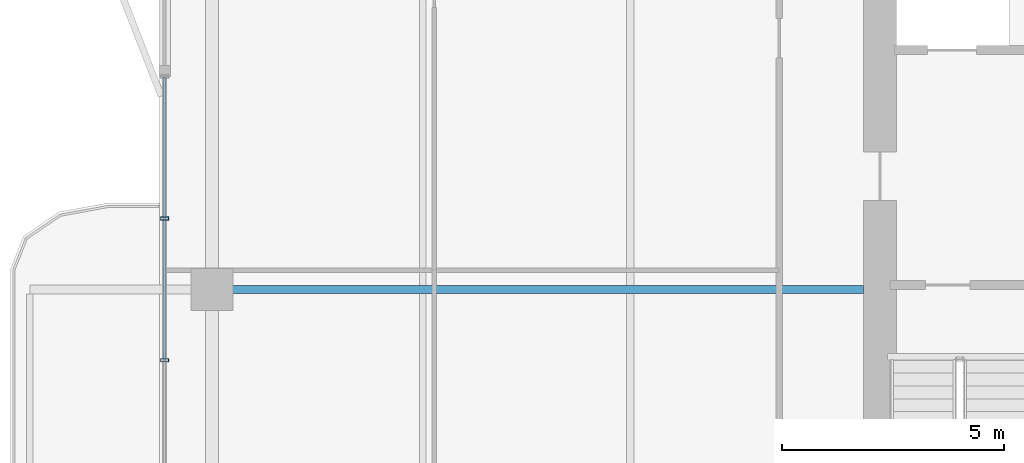
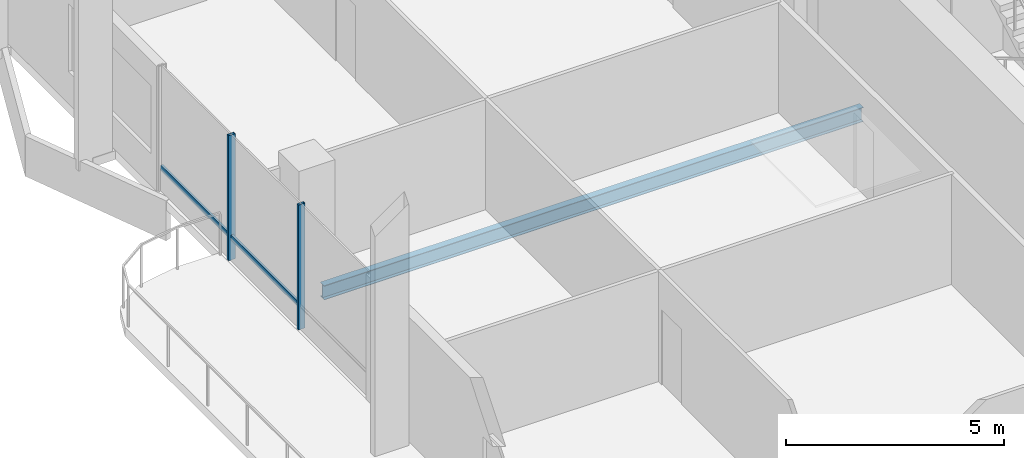
# One storey, part 6 of 25: 4 members, 1 beam, 1 element without a shape of its own.
"""IFC4 building model written with IfcOpenShell, lengths in metres."""

from ifc_helpers import new_model, si_unit, direction, frame, origin, origin_2d, place, context, subcontext, project, spatial, hollow_rectangle, i_section, extrude, material, layer, layer_set, material_profile, profile_set, type_object, element, aggregate, save


model = new_model("IFC4")

# Units and contexts
model_context = context("Model", 3, precision=1e-05, world=origin(), true_north=direction((0.0, 1.0)))
body_context = subcontext(model_context, "Body", "Model", "MODEL_VIEW")
ifc_project = project(units=[si_unit("LENGTHUNIT", "METRE"), si_unit("AREAUNIT", "SQUARE_METRE"), si_unit("VOLUMEUNIT", "CUBIC_METRE"), si_unit("PLANEANGLEUNIT", "RADIAN"), si_unit("MASSUNIT", "GRAM", prefix="KILO")], contexts=[model_context])

# Site, building, storey
site_placement = place(None, origin())
site = spatial("IfcSite", under=ifc_project, at=site_placement, CompositionType="ELEMENT")
building_placement = place(site_placement, origin())
building = spatial("IfcBuilding", under=site, at=building_placement, Name="Belovzor Exchange Tower", CompositionType="ELEMENT")
storey_placement = place(building_placement, frame((0.0, 0.0, 257.85009765625)))
storey = spatial("IfcBuildingStorey", under=building, at=storey_placement, Name="L64", CompositionType="ELEMENT", Elevation=257.85009765625)

# Curtain wall, members
ifc_material_1 = material(Name="Anodised Aluminium Framing", Category="aluminium")
ifc_layer = layer(ifc_material_1, 0.179931640625)
ifc_layer_set = layer_set([ifc_layer], Name="Anodised Aluminium Framing")
curtain_wall_type = type_object("IfcCurtainWallType", Name="Recessed Loggia Low-Iron Triple-Glazed Curtain Wall", PredefinedType="NOTDEFINED", material=ifc_layer_set)
curtain_wall_placement = place(storey_placement, origin())
curtain_wall = element("IfcCurtainWall", 1, at=curtain_wall_placement, inside=storey, type_object=curtain_wall_type, Name="CW3 Recessed Loggia Low-Iron Triple-Glazed Curtain Wall L64", PredefinedType="NOTDEFINED")
ifc_material_2 = material(Name="Steel S355", Category="steel")
ifc_material_profile_1 = material_profile(ifc_material_2, hollow_rectangle(XDim=0.074951171875, YDim=0.179931640625, WallThickness=0.0048828125, at=origin_2d()))
ifc_profile_set_1 = profile_set([ifc_material_profile_1], Name="Steel S355")
member_type_1 = type_object("IfcMemberType", Name="Thermally Broken Curtain Wall Mullion 180x75", PredefinedType="MULLION", material=ifc_profile_set_1)
member_1_placement = place(storey_placement, frame((4.030029296875, 27.199951171875, 0.0), z_axis=(0.0, 0.0, 1.0), x_axis=(0.0, 1.0, 0.0)))
member_1 = element("IfcMember", 2, at=member_1_placement, type_object=member_type_1, Name="CW-M180 Curtain Wall Mullion 2", PredefinedType="MULLION", context=body_context, shape_type="SweptSolid", body=[
    extrude(hollow_rectangle(XDim=0.074951171875, YDim=0.179931640625, WallThickness=0.0048828125, at=origin_2d()), origin(), (0.0, 0.0, 1.0), 3.5),
])
member_2_placement = place(storey_placement, frame((4.030029296875, 30.39990234375, 0.0), z_axis=(0.0, 0.0, 1.0), x_axis=(0.0, 1.0, 0.0)))
member_2 = element("IfcMember", 3, at=member_2_placement, type_object=member_type_1, Name="CW-M180 Curtain Wall Mullion 3", PredefinedType="MULLION", context=body_context, shape_type="SweptSolid", body=[
    extrude(hollow_rectangle(XDim=0.074951171875, YDim=0.179931640625, WallThickness=0.0048828125, at=origin_2d()), origin(), (0.0, 0.0, 1.0), 3.5),
])
ifc_material_3 = material(Name="Steel S355", Category="steel")
ifc_material_profile_2 = material_profile(ifc_material_3, hollow_rectangle(XDim=0.06005859375, YDim=0.14990234375, WallThickness=0.00390625, at=origin_2d()))
ifc_profile_set_2 = profile_set([ifc_material_profile_2], Name="Steel S355")
member_type_2 = type_object("IfcMemberType", Name="Thermally Broken Curtain Wall Transom 150x60", PredefinedType="USERDEFINED", material=ifc_profile_set_2)
member_3_placement = place(storey_placement, frame((4.030029296875, 27.2080078125, 0.6298828125), z_axis=(0.0, 1.0, 0.0), x_axis=(-1.0, 0.0, 0.0)))
member_3 = element("IfcMember", 4, at=member_3_placement, type_object=member_type_2, Name="CW-T150 Curtain Wall Transom 2", ObjectType="TRANSOM", PredefinedType="USERDEFINED", context=body_context, shape_type="SweptSolid", body=[
    extrude(hollow_rectangle(XDim=0.06005859375, YDim=0.14990234375, WallThickness=0.00390625, at=origin_2d()), origin(), (0.0, 0.0, 1.0), 3.18408203125),
])
member_4_placement = place(storey_placement, frame((4.030029296875, 30.407958984375, 0.6298828125), z_axis=(0.0, 1.0, 0.0), x_axis=(-1.0, 0.0, 0.0)))
member_4 = element("IfcMember", 5, at=member_4_placement, type_object=member_type_2, Name="CW-T150 Curtain Wall Transom 3", ObjectType="TRANSOM", PredefinedType="USERDEFINED", context=body_context, shape_type="SweptSolid", body=[
    extrude(hollow_rectangle(XDim=0.06005859375, YDim=0.14990234375, WallThickness=0.00390625, at=origin_2d()), origin(), (0.0, 0.0, 1.0), 3.18408203125),
])
aggregate(curtain_wall, [member_1, member_2, member_3, member_4])

# Beam
ifc_material_4 = material(Name="Steel S355", Category="steel")
ifc_material_profile_3 = material_profile(ifc_material_4, i_section(OverallWidth=0.179931640625, OverallDepth=0.39990234375, WebThickness=0.008544921875, FlangeThickness=0.013427734375, at=origin_2d()))
ifc_profile_set_3 = profile_set([ifc_material_profile_3], Name="Steel S355")
beam_type = type_object("IfcBeamType", Name="Zone 5-6 Radial Composite Floor Beam IPE 400", PredefinedType="BEAM", material=ifc_profile_set_3)
beam_placement = place(storey_placement, frame((19.800048828125, 28.800048828125, -0.4501953125), z_axis=(-1.0, 0.0, 0.0), x_axis=(0.0, -1.0, 0.0)))
element("IfcBeam", 6, at=beam_placement, inside=storey, type_object=beam_type, Name="FB-400 Zone 5-6 Radial Composite Floor Beam IPE 400", PredefinedType="BEAM", context=body_context, shape_type="SweptSolid", body=[
    extrude(i_section(OverallWidth=0.179931640625, OverallDepth=0.39990234375, WebThickness=0.008544921875, FlangeThickness=0.013427734375, at=origin_2d()), origin(), (0.0, 0.0, 1.0), 14.281982421875),
])

save(model, "model.ifc")
